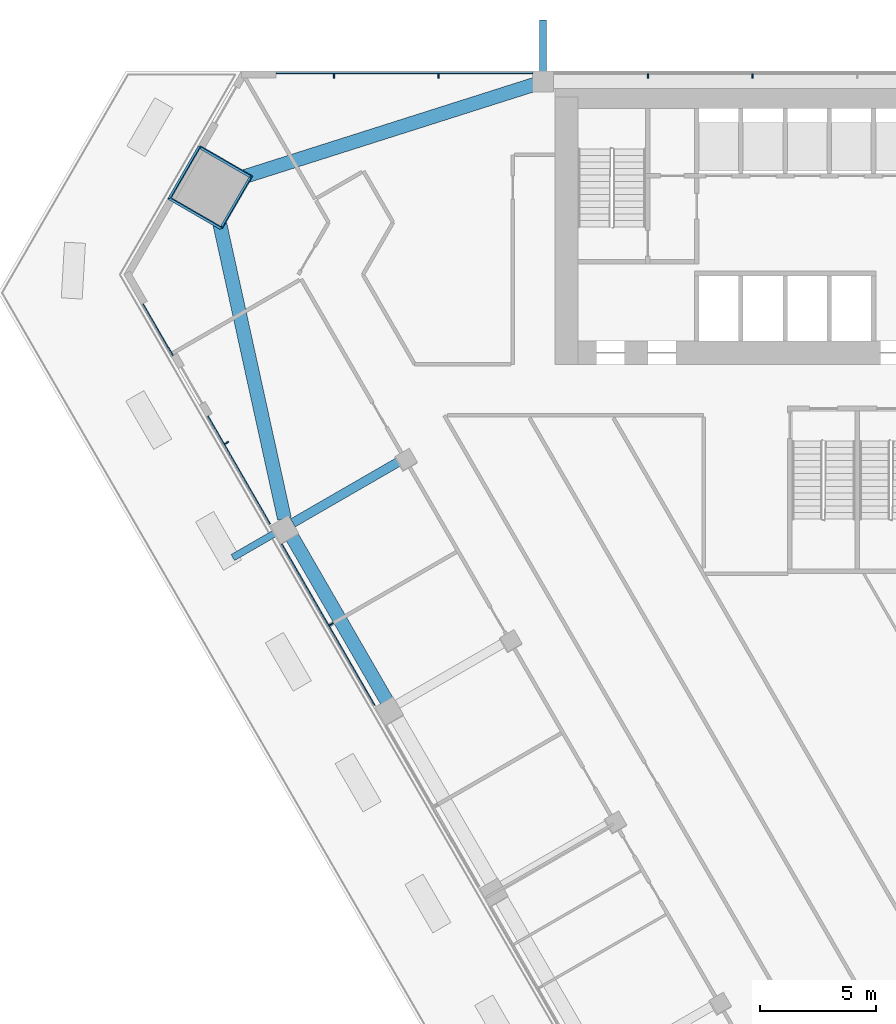
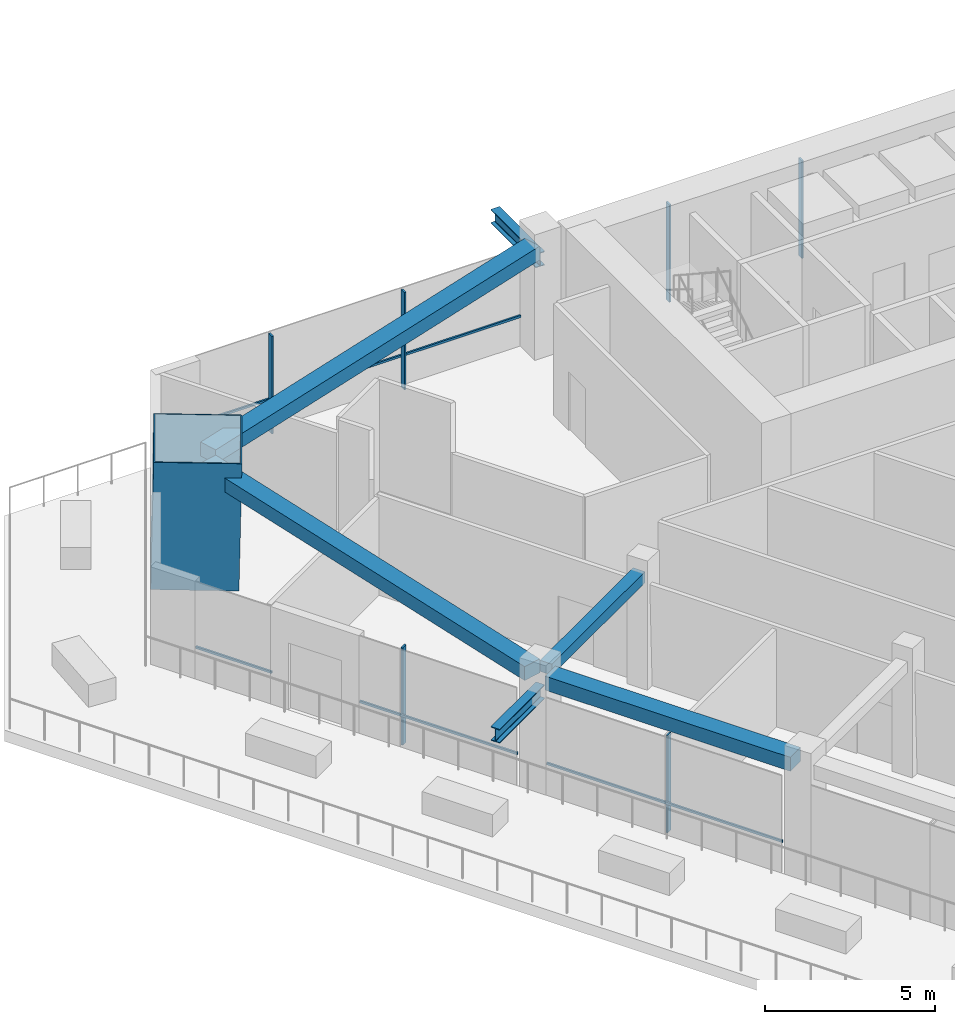
# One storey, part 4 of 15: 13 members, 4 beams, 2 elements without a shape of their own.
"""IFC4 building model written with IfcOpenShell, lengths in metres."""

from ifc_helpers import new_model, si_unit, direction, frame, origin, origin_2d, place, context, subcontext, project, spatial, rectangle, hollow_rectangle, i_section, extrude, material, layer, layer_set, material_profile, profile_set, type_object, element, aggregate, save


model = new_model("IFC4")

# Units and contexts
model_context = context("Model", 3, precision=1e-05, world=origin(), true_north=direction((0.0, 1.0)))
body_context = subcontext(model_context, "Body", "Model", "MODEL_VIEW")
ifc_project = project(units=[si_unit("LENGTHUNIT", "METRE"), si_unit("AREAUNIT", "SQUARE_METRE"), si_unit("VOLUMEUNIT", "CUBIC_METRE"), si_unit("PLANEANGLEUNIT", "RADIAN"), si_unit("MASSUNIT", "GRAM", prefix="KILO")], contexts=[model_context])

# Site, building, storey
site_placement = place(None, origin())
site = spatial("IfcSite", under=ifc_project, at=site_placement, CompositionType="ELEMENT")
building_placement = place(site_placement, origin())
building = spatial("IfcBuilding", under=site, at=building_placement, Name="Altiplano Prism Tower", CompositionType="ELEMENT")
storey_placement = place(building_placement, frame((0.0, 0.0, 22.5)))
storey = spatial("IfcBuildingStorey", under=building, at=storey_placement, Name="L04", CompositionType="ELEMENT", Elevation=22.5)

# Members
ifc_material_1 = material(Name="Steel S355", Category="steel")
ifc_material_profile_1 = material_profile(ifc_material_1, i_section(OverallWidth=0.300048828125, OverallDepth=0.5, WebThickness=0.014404296875, FlangeThickness=0.028076171875, FilletRadius=0.027099609375, at=origin_2d()), Name="Brace bracket HEB 500")
ifc_profile_set_1 = profile_set([ifc_material_profile_1], Name="Steel S355")
member_type_1 = type_object("IfcMemberType", Name="Brace bracket HEB 500", PredefinedType="STRUT", material=ifc_profile_set_1)
for number, where, z_axis, x_axis, name in (
    (1, (71.5, 104.550048828125, 3.19140625), (0.0, 1.0, 0.0), (-1.0, 0.0, 0.0), "Brace bracket 0.27"),
    (2, (60.453125, 85.416259765625, 3.197265625), (-0.866029095148, -0.499993606316, 0.0), (0.499993606316, -0.866029095148, 0.0), "Brace bracket 1.27"),
):
    element("IfcMember", number, at=place(storey_placement, frame(where, z_axis=z_axis, x_axis=x_axis)), inside=storey, type_object=member_type_1, Name=name, PredefinedType="STRUT", context=body_context, shape_type="SweptSolid", body=[
        extrude(i_section(OverallWidth=0.300048828125, OverallDepth=0.5, WebThickness=0.014404296875, FlangeThickness=0.028076171875, FilletRadius=0.027099609375, at=origin_2d()), origin(), (0.0, 0.0, 1.0), 2.64990234375),
    ])

# Curtain wall, members
ifc_material_2 = material(Name="Aluminium and glass", Category="aluminium")
ifc_layer = layer(ifc_material_2, 0.303955078125)
ifc_layer_set = layer_set([ifc_layer], Name="Aluminium and glass")
curtain_wall_type = type_object("IfcCurtainWallType", Name="CW2 lounge-band unitised glazing", PredefinedType="NOTDEFINED", material=ifc_layer_set)
curtain_wall_1_placement = place(storey_placement, origin())
curtain_wall_1 = element("IfcCurtainWall", 3, at=curtain_wall_1_placement, inside=storey, type_object=curtain_wall_type, Name="CW2 glazing north face L04", PredefinedType="NOTDEFINED")
ifc_material_3 = material(Name="Aluminium", Category="aluminium")
ifc_material_profile_2 = material_profile(ifc_material_3, rectangle(XDim=0.199951171875, YDim=0.06005859375, at=origin_2d()), Name="CW2 mullion 60 x 200")
ifc_profile_set_2 = profile_set([ifc_material_profile_2], Name="Aluminium")
member_type_2 = type_object("IfcMemberType", Name="CW2 mullion 60 x 200", PredefinedType="MULLION", material=ifc_profile_set_2)
member_1_placement = place(storey_placement, frame((80.5, 104.7958984375, 0.0), z_axis=(0.0, 0.0, 1.0), x_axis=(0.0, -1.0, 0.0)))
member_1 = element("IfcMember", 4, at=member_1_placement, type_object=member_type_2, Name="CW2 mullion", PredefinedType="MULLION", context=body_context, shape_type="SweptSolid", body=[
    extrude(rectangle(XDim=0.199951171875, YDim=0.06005859375, at=origin_2d()), origin(), (0.0, 0.0, 1.0), 3.5),
])
member_2_placement = place(storey_placement, frame((76.0, 104.7958984375, 0.0), z_axis=(0.0, 0.0, 1.0), x_axis=(0.0, -1.0, 0.0)))
member_2 = element("IfcMember", 5, at=member_2_placement, type_object=member_type_2, Name="CW2 mullion", PredefinedType="MULLION", context=body_context, shape_type="SweptSolid", body=[
    extrude(rectangle(XDim=0.199951171875, YDim=0.06005859375, at=origin_2d()), origin(), (0.0, 0.0, 1.0), 3.5),
])
member_3_placement = place(storey_placement, frame((67.0, 104.7958984375, 0.0), z_axis=(0.0, 0.0, 1.0), x_axis=(0.0, -1.0, 0.0)))
member_3 = element("IfcMember", 6, at=member_3_placement, type_object=member_type_2, Name="CW2 mullion", PredefinedType="MULLION", context=body_context, shape_type="SweptSolid", body=[
    extrude(rectangle(XDim=0.199951171875, YDim=0.06005859375, at=origin_2d()), origin(), (0.0, 0.0, 1.0), 3.5),
])
member_4_placement = place(storey_placement, frame((62.5, 104.7958984375, 0.0), z_axis=(0.0, 0.0, 1.0), x_axis=(0.0, -1.0, 0.0)))
member_4 = element("IfcMember", 7, at=member_4_placement, type_object=member_type_2, Name="CW2 mullion", PredefinedType="MULLION", context=body_context, shape_type="SweptSolid", body=[
    extrude(rectangle(XDim=0.199951171875, YDim=0.06005859375, at=origin_2d()), origin(), (0.0, 0.0, 1.0), 3.5),
])

curtain_wall_2_placement = place(storey_placement, origin())
curtain_wall_2 = element("IfcCurtainWall", 8, at=curtain_wall_2_placement, inside=storey, type_object=curtain_wall_type, Name="CW2 glazing south-west face L04", PredefinedType="NOTDEFINED")
member_5_placement = place(storey_placement, frame((57.89013671875, 89.017333984375, 0.0), z_axis=(0.0, 0.0, 1.0), x_axis=(0.86602540354, 0.500000000423, 0.0)))
member_5 = element("IfcMember", 9, at=member_5_placement, type_object=member_type_2, Name="CW2 mullion", PredefinedType="MULLION", context=body_context, shape_type="SweptSolid", body=[
    extrude(rectangle(XDim=0.199951171875, YDim=0.06005859375, at=origin_2d()), origin(), (0.0, 0.0, 1.0), 3.5),
])
member_6_placement = place(storey_placement, frame((62.39013671875, 81.22314453125, 0.0), z_axis=(0.0, 0.0, 1.0), x_axis=(0.86602540354, 0.500000000423, 0.0)))
member_6 = element("IfcMember", 10, at=member_6_placement, type_object=member_type_2, Name="CW2 mullion", PredefinedType="MULLION", context=body_context, shape_type="SweptSolid", body=[
    extrude(rectangle(XDim=0.199951171875, YDim=0.06005859375, at=origin_2d()), origin(), (0.0, 0.0, 1.0), 3.5),
])

# Member
ifc_material_profile_3 = material_profile(ifc_material_3, rectangle(XDim=0.06005859375, YDim=0.080078125, at=origin_2d()), Name="CW2 transom 80 x 60")
ifc_profile_set_3 = profile_set([ifc_material_profile_3], Name="Aluminium")
member_type_3 = type_object("IfcMemberType", Name="CW2 transom 80 x 60", PredefinedType="USERDEFINED", material=ifc_profile_set_3)
member_7_placement = place(storey_placement, frame((71.050048828125, 104.926025390625, 1.10009765625), z_axis=(-1.0, 0.0, 0.0), x_axis=(0.0, -1.0, 0.0)))
member_7 = element("IfcMember", 11, at=member_7_placement, type_object=member_type_3, Name="CW2 transom", ObjectType="TRANSOM", PredefinedType="USERDEFINED", context=body_context, shape_type="SweptSolid", body=[
    extrude(rectangle(XDim=0.06005859375, YDim=0.080078125, at=origin_2d()), origin(), (0.0, 0.0, 1.0), 11.02685546875),
])

aggregate(curtain_wall_1, [member_1, member_2, member_3, member_4, member_7])

member_8_placement = place(storey_placement, frame((54.2890625, 94.994384765625, 1.10009765625), z_axis=(0.500031347981, -0.866007304262, 0.0), x_axis=(0.866007304262, 0.500031347981, 0.0)))
member_8 = element("IfcMember", 12, at=member_8_placement, type_object=member_type_3, Name="CW2 transom", ObjectType="TRANSOM", PredefinedType="USERDEFINED", context=body_context, shape_type="SweptSolid", body=[
    extrude(rectangle(XDim=0.06005859375, YDim=0.080078125, at=origin_2d()), origin(), (0.0, 0.0, 1.0), 2.576904296875),
])

member_9_placement = place(storey_placement, frame((57.07763671875, 90.16455078125, 1.10009765625), z_axis=(0.500016058597, -0.866016132151, 0.0), x_axis=(0.866016132151, 0.500016058597, 0.0)))
member_9 = element("IfcMember", 13, at=member_9_placement, type_object=member_type_3, Name="CW2 transom", ObjectType="TRANSOM", PredefinedType="USERDEFINED", context=body_context, shape_type="SweptSolid", body=[
    extrude(rectangle(XDim=0.06005859375, YDim=0.080078125, at=origin_2d()), origin(), (0.0, 0.0, 1.0), 5.350341796875),
])

member_10_placement = place(storey_placement, frame((60.2529296875, 84.664794921875, 1.10009765625), z_axis=(0.500012163284, -0.866018381195, 0.0), x_axis=(0.866018381195, 0.500012163284, 0.0)))
member_10 = element("IfcMember", 14, at=member_10_placement, type_object=member_type_3, Name="CW2 transom", ObjectType="TRANSOM", PredefinedType="USERDEFINED", context=body_context, shape_type="SweptSolid", body=[
    extrude(rectangle(XDim=0.06005859375, YDim=0.080078125, at=origin_2d()), origin(), (0.0, 0.0, 1.0), 7.999755859375),
])

aggregate(curtain_wall_2, [member_8, member_5, member_9, member_6, member_10])

# Beams
ifc_material_4 = material(Name="Concrete C60/75", Category="concrete")
ifc_material_profile_4 = material_profile(ifc_material_4, rectangle(XDim=0.60009765625, YDim=0.5, at=origin_2d()), Name="Edge beam 600x500")
ifc_profile_set_4 = profile_set([ifc_material_profile_4], Name="Concrete C60/75")
beam_type_1 = type_object("IfcBeamType", Name="Edge beam 600x500", PredefinedType="SPANDREL", material=ifc_profile_set_4)
beam_1_placement = place(storey_placement, frame((71.164306640625, 104.443359375, 3.75), z_axis=(-0.952983553768, -0.30302202271, 0.0), x_axis=(0.30302202271, -0.952983553768, 0.0)))
element("IfcBeam", 15, at=beam_1_placement, inside=storey, type_object=beam_type_1, Name="Edge beam P04-M0 L05", PredefinedType="SPANDREL", context=body_context, shape_type="SweptSolid", body=[
    extrude(rectangle(XDim=0.60009765625, YDim=0.5, at=origin_2d()), origin(), (0.0, 0.0, 1.0), 14.14794921875),
])
beam_2_placement = place(storey_placement, frame((57.34912109375, 99.580322265625, 3.75), z_axis=(0.214066373678, -0.976819117166, 0.0), x_axis=(0.976819117166, 0.214066373678, 0.0)))
element("IfcBeam", 16, at=beam_2_placement, inside=storey, type_object=beam_type_1, Name="Edge beam M0-P11 L05", PredefinedType="SPANDREL", context=body_context, shape_type="SweptSolid", body=[
    extrude(rectangle(XDim=0.60009765625, YDim=0.5, at=origin_2d()), origin(), (0.0, 0.0, 1.0), 14.147705078125),
])
beam_3_placement = place(storey_placement, frame((60.6181640625, 85.130615234375, 3.75), z_axis=(0.499992746786, -0.866029591389, 0.0), x_axis=(0.866029591389, 0.499992746786, 0.0)))
element("IfcBeam", 17, at=beam_3_placement, inside=storey, type_object=beam_type_1, Name="Edge beam P11-P12 L05", PredefinedType="SPANDREL", context=body_context, shape_type="SweptSolid", body=[
    extrude(rectangle(XDim=0.60009765625, YDim=0.5, at=origin_2d()), origin(), (0.0, 0.0, 1.0), 8.33984375),
])

# Member
ifc_material_5 = material(Name="Steel S460", Category="steel")
ifc_material_profile_5 = material_profile(ifc_material_5, hollow_rectangle(XDim=2.60009765625, YDim=2.60009765625, WallThickness=0.0400390625, at=origin_2d()), Name="Mega column tube 2600")
ifc_profile_set_5 = profile_set([ifc_material_profile_5], Name="Steel S460")
member_type_4 = type_object("IfcMemberType", Name="Mega column tube 2600", PredefinedType="POST", material=ifc_profile_set_5)
member_11_placement = place(storey_placement, frame((57.125, 99.978271484375, 0.0), z_axis=(0.028361945142, 0.009218987905, 0.999555206244), x_axis=(-0.865334335433, 0.500798463027, 0.019934576753)))
element("IfcMember", 18, at=member_11_placement, inside=storey, type_object=member_type_4, Name="Mega column tube M0 L04", PredefinedType="POST", context=body_context, shape_type="SweptSolid", body=[
    extrude(hollow_rectangle(XDim=2.60009765625, YDim=2.60009765625, WallThickness=0.0400390625, at=origin_2d()), origin(), (0.0, 0.0, 1.0), 4.501953125),
])

# Beam
ifc_material_profile_6 = material_profile(ifc_material_4, rectangle(XDim=0.39990234375, YDim=0.39990234375, at=origin_2d()), Name="Tie beam 400x400")
ifc_profile_set_6 = profile_set([ifc_material_profile_6], Name="Concrete C60/75")
beam_type_2 = type_object("IfcBeamType", Name="Tie beam 400x400", PredefinedType="BEAM", material=ifc_profile_set_6)
beam_4_placement = place(storey_placement, frame((65.493408203125, 88.326416015625, 3.800048828125), z_axis=(-0.866012292785, -0.50002270823, 0.0), x_axis=(0.50002270823, -0.866012292785, 0.0)))
element("IfcBeam", 19, at=beam_4_placement, inside=storey, type_object=beam_type_2, Name="Tie beam I11 L05", PredefinedType="BEAM", context=body_context, shape_type="SweptSolid", body=[
    extrude(rectangle(XDim=0.39990234375, YDim=0.39990234375, at=origin_2d()), origin(), (0.0, 0.0, 1.0), 5.489990234375),
])

save(model, "model.ifc")
